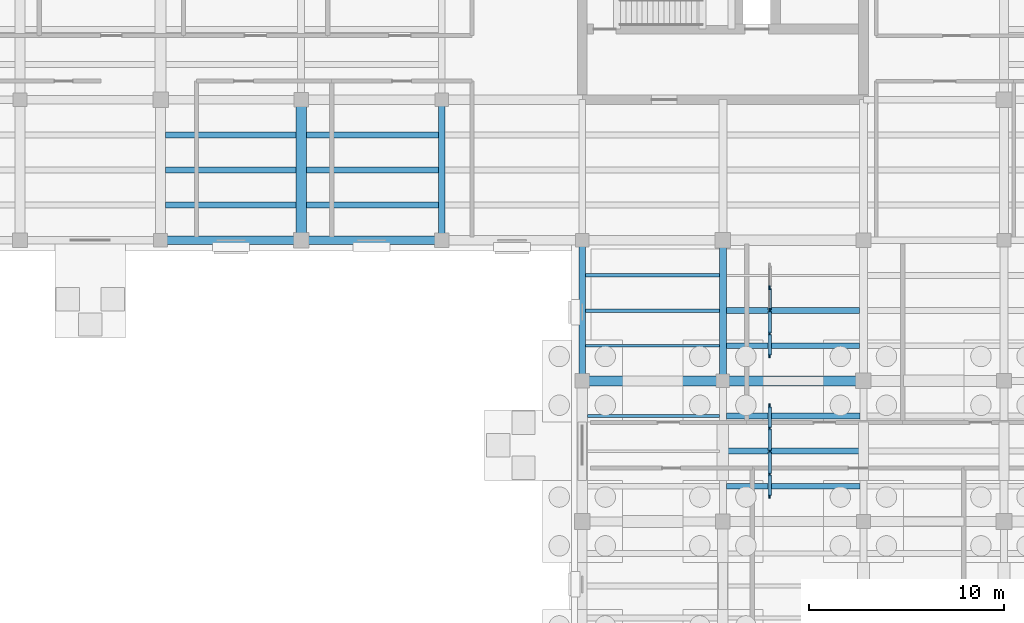
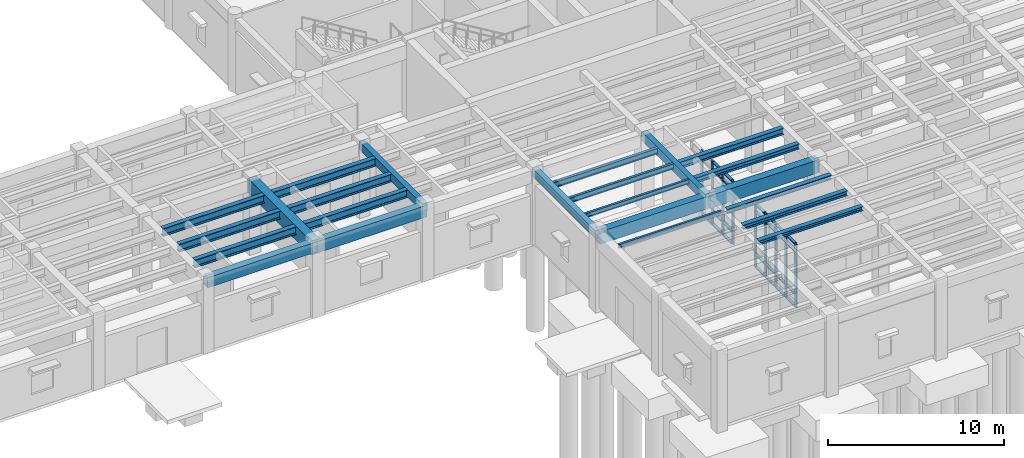
# One storey, part 14 of 100: 34 members, 23 beams, 2 elements without a shape of their own.
"""IFC4 building model written with IfcOpenShell, lengths in metres."""

from ifc_helpers import new_model, si_unit, direction, frame, origin, origin_2d, place, context, subcontext, project, spatial, rectangle, i_section, extrude, material, material_profile, profile_set, type_object, element, aggregate, save


model = new_model("IFC4")

# Units and contexts
model_context = context("Model", 3, precision=1e-05, world=origin(), true_north=direction((0.0, 1.0)))
body_context = subcontext(model_context, "Body", "Model", "MODEL_VIEW")
ifc_project = project(units=[si_unit("LENGTHUNIT", "METRE"), si_unit("AREAUNIT", "SQUARE_METRE"), si_unit("VOLUMEUNIT", "CUBIC_METRE"), si_unit("PLANEANGLEUNIT", "RADIAN"), si_unit("MASSUNIT", "GRAM", prefix="KILO")], contexts=[model_context])

# Site, building, storey
site_placement = place(None, origin())
site = spatial("IfcSite", under=ifc_project, at=site_placement, CompositionType="ELEMENT")
building_placement = place(site_placement, origin())
building = spatial("IfcBuilding", under=site, at=building_placement, Name="Mithqara Police Headquarters", CompositionType="ELEMENT")
storey_placement = place(building_placement, origin())
storey = spatial("IfcBuildingStorey", under=building, at=storey_placement, Name="L00", CompositionType="ELEMENT", Elevation=0.0)

# Beams
ifc_material_1 = material(Name="Steel S355JR", Category="steel")
ifc_material_profile_1 = material_profile(ifc_material_1, i_section(OverallWidth=0.300048828125, OverallDepth=0.300048828125, WebThickness=0.010986328125, FlangeThickness=0.01904296875, FilletRadius=0.027099609375, at=origin_2d()), Name="HEB 300")
ifc_profile_set_1 = profile_set([ifc_material_profile_1], Name="Steel S355JR")
beam_type_1 = type_object("IfcBeamType", Name="BEAM HEB300", PredefinedType="BEAM", material=ifc_profile_set_1)
beam_1_placement = place(storey_placement, frame((87.175048828125, 12.0, 4.969970703125), z_axis=(1.0, 0.0, 0.0), x_axis=(0.0, 1.0, 0.0)))
element("IfcBeam", 1, at=beam_1_placement, inside=storey, type_object=beam_type_1, Name="L00 Composite Steel Joist 13-14/B.3", PredefinedType="BEAM", context=body_context, shape_type="SweptSolid", body=[
    extrude(i_section(OverallWidth=0.300048828125, OverallDepth=0.300048828125, WebThickness=0.010986328125, FlangeThickness=0.01904296875, FilletRadius=0.027099609375, at=origin_2d()), origin(), (0.0, 0.0, 1.0), 6.849853515625),
])
ifc_material_profile_2 = material_profile(ifc_material_1, i_section(OverallWidth=0.300048828125, OverallDepth=0.360107421875, WebThickness=0.012451171875, FlangeThickness=0.0224609375, FilletRadius=0.027099609375, at=origin_2d()), Name="HEB 360")
ifc_profile_set_2 = profile_set([ifc_material_profile_2], Name="Steel S355JR")
beam_type_2 = type_object("IfcBeamType", Name="BEAM HEB360", PredefinedType="BEAM", material=ifc_profile_set_2)
beam_2_placement = place(storey_placement, frame((87.175048828125, 15.60009765625, 4.93994140625), z_axis=(1.0, 0.0, 0.0), x_axis=(0.0, 1.0, 0.0)))
element("IfcBeam", 2, at=beam_2_placement, inside=storey, type_object=beam_type_2, Name="L00 Composite Steel Joist 13-14/C.1", PredefinedType="BEAM", context=body_context, shape_type="SweptSolid", body=[
    extrude(i_section(OverallWidth=0.300048828125, OverallDepth=0.360107421875, WebThickness=0.012451171875, FlangeThickness=0.0224609375, FilletRadius=0.027099609375, at=origin_2d()), origin(), (0.0, 0.0, 1.0), 6.824951171875),
])
ifc_material_profile_3 = material_profile(ifc_material_1, i_section(OverallWidth=0.300048828125, OverallDepth=0.449951171875, WebThickness=0.013916015625, FlangeThickness=0.02587890625, FilletRadius=0.027099609375, at=origin_2d()), Name="HEB 450")
ifc_profile_set_3 = profile_set([ifc_material_profile_3], Name="Steel S355JR")
beam_type_3 = type_object("IfcBeamType", Name="BEAM HEB450", PredefinedType="BEAM", material=ifc_profile_set_3)
beam_3_placement = place(storey_placement, frame((87.175048828125, 17.39990234375, 4.89501953125), z_axis=(1.0, 0.0, 0.0), x_axis=(0.0, 1.0, 0.0)))
element("IfcBeam", 3, at=beam_3_placement, inside=storey, type_object=beam_type_3, Name="L00 Composite Steel Joist 13-14/C.2", PredefinedType="BEAM", context=body_context, shape_type="SweptSolid", body=[
    extrude(i_section(OverallWidth=0.300048828125, OverallDepth=0.449951171875, WebThickness=0.013916015625, FlangeThickness=0.02587890625, FilletRadius=0.027099609375, at=origin_2d()), origin(), (0.0, 0.0, 1.0), 6.824951171875),
])
ifc_material_profile_4 = material_profile(ifc_material_1, i_section(OverallWidth=0.300048828125, OverallDepth=0.550048828125, WebThickness=0.014892578125, FlangeThickness=0.029052734375, FilletRadius=0.027099609375, at=origin_2d()), Name="HEB 550")
ifc_profile_set_4 = profile_set([ifc_material_profile_4], Name="Steel S355JR")
beam_type_4 = type_object("IfcBeamType", Name="BEAM HEB550", PredefinedType="BEAM", material=ifc_profile_set_4)
for number, where, z_axis, x_axis, name in (
    (4, (58.449951171875, 22.800048828125, 4.844970703125), (1.0, 0.0, 0.0), (0.0, 1.0, 0.0), "L00 Composite Steel Joist 9-10/D.1"),
    (5, (58.449951171875, 24.60009765625, 4.844970703125), (1.0, 0.0, 0.0), (0.0, 1.0, 0.0), "L00 Composite Steel Joist 9-10/D.2"),
    (6, (58.449951171875, 26.39990234375, 4.844970703125), (1.0, 0.0, 0.0), (0.0, 1.0, 0.0), "L00 Composite Steel Joist 9-10/D.3"),
):
    element("IfcBeam", number, at=place(storey_placement, frame(where, z_axis=z_axis, x_axis=x_axis)), inside=storey, type_object=beam_type_4, Name=name, PredefinedType="BEAM", context=body_context, shape_type="SweptSolid", body=[
        extrude(i_section(OverallWidth=0.300048828125, OverallDepth=0.550048828125, WebThickness=0.014892578125, FlangeThickness=0.029052734375, FilletRadius=0.027099609375, at=origin_2d()), origin(), (0.0, 0.0, 1.0), 6.675048828125),
    ])
for number, where, z_axis, x_axis, name in (
    (7, (65.675048828125, 22.800048828125, 4.844970703125), (1.0, 0.0, 0.0), (0.0, 1.0, 0.0), "L00 Composite Steel Joist 10-11/D.1"),
    (8, (65.675048828125, 24.60009765625, 4.844970703125), (1.0, 0.0, 0.0), (0.0, 1.0, 0.0), "L00 Composite Steel Joist 10-11/D.2"),
    (9, (65.675048828125, 26.39990234375, 4.844970703125), (1.0, 0.0, 0.0), (0.0, 1.0, 0.0), "L00 Composite Steel Joist 10-11/D.3"),
):
    element("IfcBeam", number, at=place(storey_placement, frame(where, z_axis=z_axis, x_axis=x_axis)), inside=storey, type_object=beam_type_4, Name=name, PredefinedType="BEAM", context=body_context, shape_type="SweptSolid", body=[
        extrude(i_section(OverallWidth=0.300048828125, OverallDepth=0.550048828125, WebThickness=0.014892578125, FlangeThickness=0.029052734375, FilletRadius=0.027099609375, at=origin_2d()), origin(), (0.0, 0.0, 1.0), 6.75),
    ])
ifc_material_2 = material(Name="Concrete C40/50", Category="concrete")
ifc_material_profile_5 = material_profile(ifc_material_2, rectangle(XDim=0.35009765625, YDim=0.550048828125, at=origin_2d()), Name="RC 350x550")
ifc_profile_set_5 = profile_set([ifc_material_profile_5], Name="Concrete C40/50")
beam_type_5 = type_object("IfcBeamType", Name="BEAM RC350X550", PredefinedType="BEAM", material=ifc_profile_set_5)
for number, where, z_axis, x_axis, name in (
    (10, (72.60009765625, 21.0, 4.844970703125), (0.0, 1.0, 0.0), (-1.0, 0.0, 0.0), "L00 Girder 11/D-E"),
    (11, (79.800048828125, 13.800048828125, 4.844970703125), (0.0, 1.0, 0.0), (-1.0, 0.0, 0.0), "L00 Girder 12/C-D"),
):
    element("IfcBeam", number, at=place(storey_placement, frame(where, z_axis=z_axis, x_axis=x_axis)), inside=storey, type_object=beam_type_5, Name=name, PredefinedType="BEAM", context=body_context, shape_type="SweptSolid", body=[
        extrude(rectangle(XDim=0.35009765625, YDim=0.550048828125, at=origin_2d()), origin(), (0.0, 0.0, 1.0), 7.199951171875),
    ])
ifc_material_profile_6 = material_profile(ifc_material_2, rectangle(XDim=0.35009765625, YDim=0.60009765625, at=origin_2d()), Name="RC 350x600")
ifc_profile_set_6 = profile_set([ifc_material_profile_6], Name="Concrete C40/50")
beam_type_6 = type_object("IfcBeamType", Name="BEAM RC350X600", PredefinedType="BEAM", material=ifc_profile_set_6)
beam_4_placement = place(storey_placement, frame((87.0, 13.800048828125, 4.820068359375), z_axis=(0.0, 1.0, 0.0), x_axis=(-1.0, 0.0, 0.0)))
element("IfcBeam", 12, at=beam_4_placement, inside=storey, type_object=beam_type_6, Name="L00 Girder 13/C-D", PredefinedType="BEAM", context=body_context, shape_type="SweptSolid", body=[
    extrude(rectangle(XDim=0.35009765625, YDim=0.60009765625, at=origin_2d()), origin(), (0.0, 0.0, 1.0), 7.199951171875),
])
ifc_material_profile_7 = material_profile(ifc_material_2, rectangle(XDim=0.449951171875, YDim=0.699951171875, at=origin_2d()), Name="RC 450x700")
ifc_profile_set_7 = profile_set([ifc_material_profile_7], Name="Concrete C40/50")
beam_type_7 = type_object("IfcBeamType", Name="BEAM RC450X700", PredefinedType="BEAM", material=ifc_profile_set_7)
beam_5_placement = place(storey_placement, frame((58.199951171875, 21.0, 4.77001953125), z_axis=(1.0, 0.0, 0.0), x_axis=(0.0, 1.0, 0.0)))
element("IfcBeam", 13, at=beam_5_placement, inside=storey, type_object=beam_type_7, Name="L00 Girder 9-10/D", PredefinedType="BEAM", context=body_context, shape_type="SweptSolid", body=[
    extrude(rectangle(XDim=0.449951171875, YDim=0.699951171875, at=origin_2d()), origin(), (0.0, 0.0, 1.0), 7.199951171875),
])
ifc_material_profile_8 = material_profile(ifc_material_2, rectangle(XDim=0.449951171875, YDim=0.800048828125, at=origin_2d()), Name="RC 450x800")
ifc_profile_set_8 = profile_set([ifc_material_profile_8], Name="Concrete C40/50")
beam_type_8 = type_object("IfcBeamType", Name="BEAM RC450X800", PredefinedType="BEAM", material=ifc_profile_set_8)
beam_6_placement = place(storey_placement, frame((65.39990234375, 21.0, 4.719970703125), z_axis=(1.0, 0.0, 0.0), x_axis=(0.0, 1.0, 0.0)))
element("IfcBeam", 14, at=beam_6_placement, inside=storey, type_object=beam_type_8, Name="L00 Girder 10-11/D", PredefinedType="BEAM", context=body_context, shape_type="SweptSolid", body=[
    extrude(rectangle(XDim=0.449951171875, YDim=0.800048828125, at=origin_2d()), origin(), (0.0, 0.0, 1.0), 7.2001953125),
])
ifc_material_profile_9 = material_profile(ifc_material_2, rectangle(XDim=0.5, YDim=0.85009765625, at=origin_2d()), Name="RC 500x850")
ifc_profile_set_9 = profile_set([ifc_material_profile_9], Name="Concrete C40/50")
beam_type_9 = type_object("IfcBeamType", Name="BEAM RC500X850", PredefinedType="BEAM", material=ifc_profile_set_9)
beam_7_placement = place(storey_placement, frame((79.800048828125, 13.800048828125, 4.695068359375), z_axis=(1.0, 0.0, 0.0), x_axis=(0.0, 1.0, 0.0)))
element("IfcBeam", 15, at=beam_7_placement, inside=storey, type_object=beam_type_9, Name="L00 Girder 12-13/C", PredefinedType="BEAM", context=body_context, shape_type="SweptSolid", body=[
    extrude(rectangle(XDim=0.5, YDim=0.85009765625, at=origin_2d()), origin(), (0.0, 0.0, 1.0), 7.199951171875),
])
ifc_material_3 = material(Name="Concrete C50/60", Category="concrete")
ifc_material_profile_10 = material_profile(ifc_material_3, rectangle(XDim=0.5, YDim=0.89990234375, at=origin_2d()), Name="RC 500x900")
ifc_profile_set_10 = profile_set([ifc_material_profile_10], Name="Concrete C50/60")
beam_type_10 = type_object("IfcBeamType", Name="BEAM RC500X900", PredefinedType="BEAM", material=ifc_profile_set_10)
beam_8_placement = place(storey_placement, frame((87.0, 13.800048828125, 4.669921875), z_axis=(1.0, 0.0, 0.0), x_axis=(0.0, 1.0, 0.0)))
element("IfcBeam", 16, at=beam_8_placement, inside=storey, type_object=beam_type_10, Name="L00 Girder 13-14/C", PredefinedType="BEAM", context=body_context, shape_type="SweptSolid", body=[
    extrude(rectangle(XDim=0.5, YDim=0.89990234375, at=origin_2d()), origin(), (0.0, 0.0, 1.0), 7.199951171875),
])
ifc_material_profile_11 = material_profile(ifc_material_3, rectangle(XDim=0.550048828125, YDim=1.0, at=origin_2d()), Name="RC 550x1000")
ifc_profile_set_11 = profile_set([ifc_material_profile_11], Name="Concrete C50/60")
beam_type_11 = type_object("IfcBeamType", Name="BEAM RC550X1000", PredefinedType="BEAM", material=ifc_profile_set_11)
beam_9_placement = place(storey_placement, frame((65.39990234375, 21.0, 4.6201171875), z_axis=(0.0, 1.0, 0.0), x_axis=(-1.0, 0.0, 0.0)))
element("IfcBeam", 17, at=beam_9_placement, inside=storey, type_object=beam_type_11, Name="L00 Girder 10/D-E", PredefinedType="BEAM", context=body_context, shape_type="SweptSolid", body=[
    extrude(rectangle(XDim=0.550048828125, YDim=1.0, at=origin_2d()), origin(), (0.0, 0.0, 1.0), 7.199951171875),
])

# Curtain wall, members
ifc_material_4 = material(Name="Bronze anodised aluminium 6063-T6", Category="aluminium")
curtain_wall_type = type_object("IfcCurtainWallType", Name="CURTAIN WALL 4700X4400", PredefinedType="USERDEFINED", material=ifc_material_4)
curtain_wall_1_placement = place(storey_placement, origin())
curtain_wall_1 = element("IfcCurtainWall", 18, at=curtain_wall_1_placement, inside=storey, type_object=curtain_wall_type, Name="L00 Unitised Glazing CW-14 (CW-INT-L00-X12-Y01-0)", ObjectType="UNITISED GLAZING", PredefinedType="USERDEFINED")
ifc_material_profile_12 = material_profile(ifc_material_4, rectangle(XDim=0.074951171875, YDim=0.219970703125, at=origin_2d()), Name="CWM 75x220")
ifc_profile_set_12 = profile_set([ifc_material_profile_12], Name="Bronze anodised aluminium 6063-T6")
member_type_1 = type_object("IfcMemberType", Name="CWMULLION 75X220", PredefinedType="MULLION", material=ifc_profile_set_12)
member_1_placement = place(storey_placement, frame((89.39990234375, 7.887451171875, 0.0), z_axis=(0.0, 0.0, 1.0), x_axis=(-1.0, 0.0, 0.0)))
member_1 = element("IfcMember", 19, at=member_1_placement, type_object=member_type_1, Name="CW-14 mullion 1", PredefinedType="MULLION", context=body_context, shape_type="SweptSolid", body=[
    extrude(rectangle(XDim=0.074951171875, YDim=0.219970703125, at=origin_2d()), origin(), (0.0, 0.0, 1.0), 4.39990234375),
])
member_2_placement = place(storey_placement, frame((89.39990234375, 9.02490234375, 0.0), z_axis=(0.0, 0.0, 1.0), x_axis=(-1.0, 0.0, 0.0)))
member_2 = element("IfcMember", 20, at=member_2_placement, type_object=member_type_1, Name="CW-14 mullion 2", PredefinedType="MULLION", context=body_context, shape_type="SweptSolid", body=[
    extrude(rectangle(XDim=0.074951171875, YDim=0.219970703125, at=origin_2d()), origin(), (0.0, 0.0, 1.0), 4.39990234375),
])
member_3_placement = place(storey_placement, frame((89.39990234375, 10.199951171875, 0.0), z_axis=(0.0, 0.0, 1.0), x_axis=(-1.0, 0.0, 0.0)))
member_3 = element("IfcMember", 21, at=member_3_placement, type_object=member_type_1, Name="CW-14 mullion 3", PredefinedType="MULLION", context=body_context, shape_type="SweptSolid", body=[
    extrude(rectangle(XDim=0.074951171875, YDim=0.219970703125, at=origin_2d()), origin(), (0.0, 0.0, 1.0), 4.39990234375),
])
member_4_placement = place(storey_placement, frame((89.39990234375, 11.375, 0.0), z_axis=(0.0, 0.0, 1.0), x_axis=(-1.0, 0.0, 0.0)))
member_4 = element("IfcMember", 22, at=member_4_placement, type_object=member_type_1, Name="CW-14 mullion 4", PredefinedType="MULLION", context=body_context, shape_type="SweptSolid", body=[
    extrude(rectangle(XDim=0.074951171875, YDim=0.219970703125, at=origin_2d()), origin(), (0.0, 0.0, 1.0), 4.39990234375),
])
member_5_placement = place(storey_placement, frame((89.39990234375, 12.512451171875, 0.0), z_axis=(0.0, 0.0, 1.0), x_axis=(-1.0, 0.0, 0.0)))
member_5 = element("IfcMember", 23, at=member_5_placement, type_object=member_type_1, Name="CW-14 mullion 5", PredefinedType="MULLION", context=body_context, shape_type="SweptSolid", body=[
    extrude(rectangle(XDim=0.074951171875, YDim=0.219970703125, at=origin_2d()), origin(), (0.0, 0.0, 1.0), 4.39990234375),
])

curtain_wall_2_placement = place(storey_placement, origin())
curtain_wall_2 = element("IfcCurtainWall", 24, at=curtain_wall_2_placement, inside=storey, type_object=curtain_wall_type, Name="L00 Unitised Glazing CW-14 (CW-INT-L00-X12-Y02-0)", ObjectType="UNITISED GLAZING", PredefinedType="USERDEFINED")
member_6_placement = place(storey_placement, frame((89.39990234375, 15.08740234375, 0.0), z_axis=(0.0, 0.0, 1.0), x_axis=(-1.0, 0.0, 0.0)))
member_6 = element("IfcMember", 25, at=member_6_placement, type_object=member_type_1, Name="CW-14 mullion 1", PredefinedType="MULLION", context=body_context, shape_type="SweptSolid", body=[
    extrude(rectangle(XDim=0.074951171875, YDim=0.219970703125, at=origin_2d()), origin(), (0.0, 0.0, 1.0), 4.39990234375),
])
member_7_placement = place(storey_placement, frame((89.39990234375, 16.22509765625, 0.0), z_axis=(0.0, 0.0, 1.0), x_axis=(-1.0, 0.0, 0.0)))
member_7 = element("IfcMember", 26, at=member_7_placement, type_object=member_type_1, Name="CW-14 mullion 2", PredefinedType="MULLION", context=body_context, shape_type="SweptSolid", body=[
    extrude(rectangle(XDim=0.074951171875, YDim=0.219970703125, at=origin_2d()), origin(), (0.0, 0.0, 1.0), 4.39990234375),
])
member_8_placement = place(storey_placement, frame((89.39990234375, 17.39990234375, 0.0), z_axis=(0.0, 0.0, 1.0), x_axis=(-1.0, 0.0, 0.0)))
member_8 = element("IfcMember", 27, at=member_8_placement, type_object=member_type_1, Name="CW-14 mullion 3", PredefinedType="MULLION", context=body_context, shape_type="SweptSolid", body=[
    extrude(rectangle(XDim=0.074951171875, YDim=0.219970703125, at=origin_2d()), origin(), (0.0, 0.0, 1.0), 4.39990234375),
])
member_9_placement = place(storey_placement, frame((89.39990234375, 18.574951171875, 0.0), z_axis=(0.0, 0.0, 1.0), x_axis=(-1.0, 0.0, 0.0)))
member_9 = element("IfcMember", 28, at=member_9_placement, type_object=member_type_1, Name="CW-14 mullion 4", PredefinedType="MULLION", context=body_context, shape_type="SweptSolid", body=[
    extrude(rectangle(XDim=0.074951171875, YDim=0.219970703125, at=origin_2d()), origin(), (0.0, 0.0, 1.0), 4.39990234375),
])

# Member
ifc_material_profile_13 = material_profile(ifc_material_4, rectangle(XDim=0.179931640625, YDim=0.074951171875, at=origin_2d()), Name="CWT 180x75")
ifc_profile_set_13 = profile_set([ifc_material_profile_13], Name="Bronze anodised aluminium 6063-T6")
member_type_2 = type_object("IfcMemberType", Name="CWTRANSOM 180X75", PredefinedType="USERDEFINED", material=ifc_profile_set_13)
member_10_placement = place(storey_placement, frame((89.39990234375, 7.925048828125, 0.03759765625), z_axis=(0.0, 1.0, 0.0), x_axis=(-1.0, 0.0, 0.0)))
member_10 = element("IfcMember", 29, at=member_10_placement, type_object=member_type_2, Name="CW-14 transom 1.1", ObjectType="TRANSOM", PredefinedType="USERDEFINED", context=body_context, shape_type="SweptSolid", body=[
    extrude(rectangle(XDim=0.179931640625, YDim=0.074951171875, at=origin_2d()), origin(), (0.0, 0.0, 1.0), 1.0625),
])

member_11_placement = place(storey_placement, frame((89.39990234375, 7.925048828125, 0.89990234375), z_axis=(0.0, 1.0, 0.0), x_axis=(-1.0, 0.0, 0.0)))
member_11 = element("IfcMember", 30, at=member_11_placement, type_object=member_type_2, Name="CW-14 transom 1.2", ObjectType="TRANSOM", PredefinedType="USERDEFINED", context=body_context, shape_type="SweptSolid", body=[
    extrude(rectangle(XDim=0.179931640625, YDim=0.074951171875, at=origin_2d()), origin(), (0.0, 0.0, 1.0), 1.0625),
])

member_12_placement = place(storey_placement, frame((89.39990234375, 7.925048828125, 3.85009765625), z_axis=(0.0, 1.0, 0.0), x_axis=(-1.0, 0.0, 0.0)))
member_12 = element("IfcMember", 31, at=member_12_placement, type_object=member_type_2, Name="CW-14 transom 1.3", ObjectType="TRANSOM", PredefinedType="USERDEFINED", context=body_context, shape_type="SweptSolid", body=[
    extrude(rectangle(XDim=0.179931640625, YDim=0.074951171875, at=origin_2d()), origin(), (0.0, 0.0, 1.0), 1.0625),
])

member_13_placement = place(storey_placement, frame((89.39990234375, 7.925048828125, 4.362548828125), z_axis=(0.0, 1.0, 0.0), x_axis=(-1.0, 0.0, 0.0)))
member_13 = element("IfcMember", 32, at=member_13_placement, type_object=member_type_2, Name="CW-14 transom 1.4", ObjectType="TRANSOM", PredefinedType="USERDEFINED", context=body_context, shape_type="SweptSolid", body=[
    extrude(rectangle(XDim=0.179931640625, YDim=0.074951171875, at=origin_2d()), origin(), (0.0, 0.0, 1.0), 1.0625),
])

member_14_placement = place(storey_placement, frame((89.39990234375, 9.0625, 0.03759765625), z_axis=(0.0, 1.0, 0.0), x_axis=(-1.0, 0.0, 0.0)))
member_14 = element("IfcMember", 33, at=member_14_placement, type_object=member_type_2, Name="CW-14 transom 2.1", ObjectType="TRANSOM", PredefinedType="USERDEFINED", context=body_context, shape_type="SweptSolid", body=[
    extrude(rectangle(XDim=0.179931640625, YDim=0.074951171875, at=origin_2d()), origin(), (0.0, 0.0, 1.0), 1.10009765625),
])

member_15_placement = place(storey_placement, frame((89.39990234375, 9.0625, 0.89990234375), z_axis=(0.0, 1.0, 0.0), x_axis=(-1.0, 0.0, 0.0)))
member_15 = element("IfcMember", 34, at=member_15_placement, type_object=member_type_2, Name="CW-14 transom 2.2", ObjectType="TRANSOM", PredefinedType="USERDEFINED", context=body_context, shape_type="SweptSolid", body=[
    extrude(rectangle(XDim=0.179931640625, YDim=0.074951171875, at=origin_2d()), origin(), (0.0, 0.0, 1.0), 1.10009765625),
])

member_16_placement = place(storey_placement, frame((89.39990234375, 9.0625, 3.85009765625), z_axis=(0.0, 1.0, 0.0), x_axis=(-1.0, 0.0, 0.0)))
member_16 = element("IfcMember", 35, at=member_16_placement, type_object=member_type_2, Name="CW-14 transom 2.3", ObjectType="TRANSOM", PredefinedType="USERDEFINED", context=body_context, shape_type="SweptSolid", body=[
    extrude(rectangle(XDim=0.179931640625, YDim=0.074951171875, at=origin_2d()), origin(), (0.0, 0.0, 1.0), 1.10009765625),
])

member_17_placement = place(storey_placement, frame((89.39990234375, 9.0625, 4.362548828125), z_axis=(0.0, 1.0, 0.0), x_axis=(-1.0, 0.0, 0.0)))
member_17 = element("IfcMember", 36, at=member_17_placement, type_object=member_type_2, Name="CW-14 transom 2.4", ObjectType="TRANSOM", PredefinedType="USERDEFINED", context=body_context, shape_type="SweptSolid", body=[
    extrude(rectangle(XDim=0.179931640625, YDim=0.074951171875, at=origin_2d()), origin(), (0.0, 0.0, 1.0), 1.10009765625),
])

member_18_placement = place(storey_placement, frame((89.39990234375, 10.237548828125, 0.03759765625), z_axis=(0.0, 1.0, 0.0), x_axis=(-1.0, 0.0, 0.0)))
member_18 = element("IfcMember", 37, at=member_18_placement, type_object=member_type_2, Name="CW-14 transom 3.1", ObjectType="TRANSOM", PredefinedType="USERDEFINED", context=body_context, shape_type="SweptSolid", body=[
    extrude(rectangle(XDim=0.179931640625, YDim=0.074951171875, at=origin_2d()), origin(), (0.0, 0.0, 1.0), 1.099853515625),
])

member_19_placement = place(storey_placement, frame((89.39990234375, 10.237548828125, 0.89990234375), z_axis=(0.0, 1.0, 0.0), x_axis=(-1.0, 0.0, 0.0)))
member_19 = element("IfcMember", 38, at=member_19_placement, type_object=member_type_2, Name="CW-14 transom 3.2", ObjectType="TRANSOM", PredefinedType="USERDEFINED", context=body_context, shape_type="SweptSolid", body=[
    extrude(rectangle(XDim=0.179931640625, YDim=0.074951171875, at=origin_2d()), origin(), (0.0, 0.0, 1.0), 1.099853515625),
])

member_20_placement = place(storey_placement, frame((89.39990234375, 10.237548828125, 3.85009765625), z_axis=(0.0, 1.0, 0.0), x_axis=(-1.0, 0.0, 0.0)))
member_20 = element("IfcMember", 39, at=member_20_placement, type_object=member_type_2, Name="CW-14 transom 3.3", ObjectType="TRANSOM", PredefinedType="USERDEFINED", context=body_context, shape_type="SweptSolid", body=[
    extrude(rectangle(XDim=0.179931640625, YDim=0.074951171875, at=origin_2d()), origin(), (0.0, 0.0, 1.0), 1.099853515625),
])

member_21_placement = place(storey_placement, frame((89.39990234375, 10.237548828125, 4.362548828125), z_axis=(0.0, 1.0, 0.0), x_axis=(-1.0, 0.0, 0.0)))
member_21 = element("IfcMember", 40, at=member_21_placement, type_object=member_type_2, Name="CW-14 transom 3.4", ObjectType="TRANSOM", PredefinedType="USERDEFINED", context=body_context, shape_type="SweptSolid", body=[
    extrude(rectangle(XDim=0.179931640625, YDim=0.074951171875, at=origin_2d()), origin(), (0.0, 0.0, 1.0), 1.099853515625),
])

member_22_placement = place(storey_placement, frame((89.39990234375, 11.41259765625, 0.03759765625), z_axis=(0.0, 1.0, 0.0), x_axis=(-1.0, 0.0, 0.0)))
member_22 = element("IfcMember", 41, at=member_22_placement, type_object=member_type_2, Name="CW-14 transom 4.1", ObjectType="TRANSOM", PredefinedType="USERDEFINED", context=body_context, shape_type="SweptSolid", body=[
    extrude(rectangle(XDim=0.179931640625, YDim=0.074951171875, at=origin_2d()), origin(), (0.0, 0.0, 1.0), 1.0625),
])

member_23_placement = place(storey_placement, frame((89.39990234375, 11.41259765625, 0.89990234375), z_axis=(0.0, 1.0, 0.0), x_axis=(-1.0, 0.0, 0.0)))
member_23 = element("IfcMember", 42, at=member_23_placement, type_object=member_type_2, Name="CW-14 transom 4.2", ObjectType="TRANSOM", PredefinedType="USERDEFINED", context=body_context, shape_type="SweptSolid", body=[
    extrude(rectangle(XDim=0.179931640625, YDim=0.074951171875, at=origin_2d()), origin(), (0.0, 0.0, 1.0), 1.0625),
])

member_24_placement = place(storey_placement, frame((89.39990234375, 11.41259765625, 3.85009765625), z_axis=(0.0, 1.0, 0.0), x_axis=(-1.0, 0.0, 0.0)))
member_24 = element("IfcMember", 43, at=member_24_placement, type_object=member_type_2, Name="CW-14 transom 4.3", ObjectType="TRANSOM", PredefinedType="USERDEFINED", context=body_context, shape_type="SweptSolid", body=[
    extrude(rectangle(XDim=0.179931640625, YDim=0.074951171875, at=origin_2d()), origin(), (0.0, 0.0, 1.0), 1.0625),
])

member_25_placement = place(storey_placement, frame((89.39990234375, 11.41259765625, 4.362548828125), z_axis=(0.0, 1.0, 0.0), x_axis=(-1.0, 0.0, 0.0)))
member_25 = element("IfcMember", 44, at=member_25_placement, type_object=member_type_2, Name="CW-14 transom 4.4", ObjectType="TRANSOM", PredefinedType="USERDEFINED", context=body_context, shape_type="SweptSolid", body=[
    extrude(rectangle(XDim=0.179931640625, YDim=0.074951171875, at=origin_2d()), origin(), (0.0, 0.0, 1.0), 1.0625),
])

aggregate(curtain_wall_1, [member_1, member_2, member_3, member_4, member_5, member_10, member_11, member_12, member_13, member_14, member_15, member_16, member_17, member_18, member_19, member_20, member_21, member_22, member_23, member_24, member_25])

member_26_placement = place(storey_placement, frame((89.39990234375, 15.125, 0.03759765625), z_axis=(0.0, 1.0, 0.0), x_axis=(-1.0, 0.0, 0.0)))
member_26 = element("IfcMember", 45, at=member_26_placement, type_object=member_type_2, Name="CW-14 transom 1.1", ObjectType="TRANSOM", PredefinedType="USERDEFINED", context=body_context, shape_type="SweptSolid", body=[
    extrude(rectangle(XDim=0.179931640625, YDim=0.074951171875, at=origin_2d()), origin(), (0.0, 0.0, 1.0), 1.0625),
])

member_27_placement = place(storey_placement, frame((89.39990234375, 15.125, 0.89990234375), z_axis=(0.0, 1.0, 0.0), x_axis=(-1.0, 0.0, 0.0)))
member_27 = element("IfcMember", 46, at=member_27_placement, type_object=member_type_2, Name="CW-14 transom 1.2", ObjectType="TRANSOM", PredefinedType="USERDEFINED", context=body_context, shape_type="SweptSolid", body=[
    extrude(rectangle(XDim=0.179931640625, YDim=0.074951171875, at=origin_2d()), origin(), (0.0, 0.0, 1.0), 1.0625),
])

member_28_placement = place(storey_placement, frame((89.39990234375, 15.125, 3.85009765625), z_axis=(0.0, 1.0, 0.0), x_axis=(-1.0, 0.0, 0.0)))
member_28 = element("IfcMember", 47, at=member_28_placement, type_object=member_type_2, Name="CW-14 transom 1.3", ObjectType="TRANSOM", PredefinedType="USERDEFINED", context=body_context, shape_type="SweptSolid", body=[
    extrude(rectangle(XDim=0.179931640625, YDim=0.074951171875, at=origin_2d()), origin(), (0.0, 0.0, 1.0), 1.0625),
])

member_29_placement = place(storey_placement, frame((89.39990234375, 15.125, 4.362548828125), z_axis=(0.0, 1.0, 0.0), x_axis=(-1.0, 0.0, 0.0)))
member_29 = element("IfcMember", 48, at=member_29_placement, type_object=member_type_2, Name="CW-14 transom 1.4", ObjectType="TRANSOM", PredefinedType="USERDEFINED", context=body_context, shape_type="SweptSolid", body=[
    extrude(rectangle(XDim=0.179931640625, YDim=0.074951171875, at=origin_2d()), origin(), (0.0, 0.0, 1.0), 1.0625),
])

member_30_placement = place(storey_placement, frame((89.39990234375, 16.262451171875, 0.03759765625), z_axis=(0.0, 1.0, 0.0), x_axis=(-1.0, 0.0, 0.0)))
member_30 = element("IfcMember", 49, at=member_30_placement, type_object=member_type_2, Name="CW-14 transom 2.1", ObjectType="TRANSOM", PredefinedType="USERDEFINED", context=body_context, shape_type="SweptSolid", body=[
    extrude(rectangle(XDim=0.179931640625, YDim=0.074951171875, at=origin_2d()), origin(), (0.0, 0.0, 1.0), 1.10009765625),
])

member_31_placement = place(storey_placement, frame((89.39990234375, 16.262451171875, 0.89990234375), z_axis=(0.0, 1.0, 0.0), x_axis=(-1.0, 0.0, 0.0)))
member_31 = element("IfcMember", 50, at=member_31_placement, type_object=member_type_2, Name="CW-14 transom 2.2", ObjectType="TRANSOM", PredefinedType="USERDEFINED", context=body_context, shape_type="SweptSolid", body=[
    extrude(rectangle(XDim=0.179931640625, YDim=0.074951171875, at=origin_2d()), origin(), (0.0, 0.0, 1.0), 1.10009765625),
])

member_32_placement = place(storey_placement, frame((89.39990234375, 16.262451171875, 3.85009765625), z_axis=(0.0, 1.0, 0.0), x_axis=(-1.0, 0.0, 0.0)))
member_32 = element("IfcMember", 51, at=member_32_placement, type_object=member_type_2, Name="CW-14 transom 2.3", ObjectType="TRANSOM", PredefinedType="USERDEFINED", context=body_context, shape_type="SweptSolid", body=[
    extrude(rectangle(XDim=0.179931640625, YDim=0.074951171875, at=origin_2d()), origin(), (0.0, 0.0, 1.0), 1.10009765625),
])

member_33_placement = place(storey_placement, frame((89.39990234375, 16.262451171875, 4.362548828125), z_axis=(0.0, 1.0, 0.0), x_axis=(-1.0, 0.0, 0.0)))
member_33 = element("IfcMember", 52, at=member_33_placement, type_object=member_type_2, Name="CW-14 transom 2.4", ObjectType="TRANSOM", PredefinedType="USERDEFINED", context=body_context, shape_type="SweptSolid", body=[
    extrude(rectangle(XDim=0.179931640625, YDim=0.074951171875, at=origin_2d()), origin(), (0.0, 0.0, 1.0), 1.10009765625),
])

member_34_placement = place(storey_placement, frame((89.39990234375, 17.4375, 0.03759765625), z_axis=(0.0, 1.0, 0.0), x_axis=(-1.0, 0.0, 0.0)))
member_34 = element("IfcMember", 53, at=member_34_placement, type_object=member_type_2, Name="CW-14 transom 3.1", ObjectType="TRANSOM", PredefinedType="USERDEFINED", context=body_context, shape_type="SweptSolid", body=[
    extrude(rectangle(XDim=0.179931640625, YDim=0.074951171875, at=origin_2d()), origin(), (0.0, 0.0, 1.0), 1.10009765625),
])

aggregate(curtain_wall_2, [member_6, member_7, member_8, member_9, member_26, member_27, member_28, member_29, member_30, member_31, member_32, member_33, member_34])

# Beams
ifc_material_profile_14 = material_profile(ifc_material_1, i_section(OverallWidth=0.300048828125, OverallDepth=0.2900390625, WebThickness=0.008544921875, FlangeThickness=0.013916015625, FilletRadius=0.027099609375, at=origin_2d()), Name="HEA 300")
ifc_profile_set_14 = profile_set([ifc_material_profile_14], Name="Steel S355JR")
beam_type_12 = type_object("IfcBeamType", Name="JOIST HEA300", PredefinedType="JOIST", material=ifc_profile_set_14)
beam_10_placement = place(storey_placement, frame((87.175048828125, 8.39990234375, 4.97509765625), z_axis=(1.0, 0.0, 0.0), x_axis=(0.0, 1.0, 0.0)))
element("IfcBeam", 54, at=beam_10_placement, inside=storey, type_object=beam_type_12, Name="L00 Composite Steel Joist 13-14/B.1", PredefinedType="JOIST", context=body_context, shape_type="SweptSolid", body=[
    extrude(i_section(OverallWidth=0.300048828125, OverallDepth=0.2900390625, WebThickness=0.008544921875, FlangeThickness=0.013916015625, FilletRadius=0.027099609375, at=origin_2d()), origin(), (0.0, 0.0, 1.0), 6.849853515625),
])
ifc_material_profile_15 = material_profile(ifc_material_1, i_section(OverallWidth=0.300048828125, OverallDepth=0.330078125, WebThickness=0.009521484375, FlangeThickness=0.0166015625, FilletRadius=0.027099609375, at=origin_2d()), Name="HEA 340")
ifc_profile_set_15 = profile_set([ifc_material_profile_15], Name="Steel S355JR")
beam_type_13 = type_object("IfcBeamType", Name="JOIST HEA340", PredefinedType="JOIST", material=ifc_profile_set_15)
beam_11_placement = place(storey_placement, frame((87.175048828125, 10.199951171875, 4.955078125), z_axis=(1.0, 0.0, 0.0), x_axis=(0.0, 1.0, 0.0)))
element("IfcBeam", 55, at=beam_11_placement, inside=storey, type_object=beam_type_13, Name="L00 Composite Steel Joist 13-14/B.2", PredefinedType="JOIST", context=body_context, shape_type="SweptSolid", body=[
    extrude(i_section(OverallWidth=0.300048828125, OverallDepth=0.330078125, WebThickness=0.009521484375, FlangeThickness=0.0166015625, FilletRadius=0.027099609375, at=origin_2d()), origin(), (0.0, 0.0, 1.0), 6.849853515625),
])
ifc_material_profile_16 = material_profile(ifc_material_1, i_section(OverallWidth=0.135009765625, OverallDepth=0.27001953125, WebThickness=0.006591796875, FlangeThickness=0.01025390625, FilletRadius=0.014892578125, at=origin_2d()), Name="IPE 270")
ifc_profile_set_16 = profile_set([ifc_material_profile_16], Name="Steel S355JR")
beam_type_14 = type_object("IfcBeamType", Name="JOIST IPE270", PredefinedType="JOIST", material=ifc_profile_set_16)
beam_12_placement = place(storey_placement, frame((80.074951171875, 12.0, 4.985107421875), z_axis=(1.0, 0.0, 0.0), x_axis=(0.0, 1.0, 0.0)))
element("IfcBeam", 56, at=beam_12_placement, inside=storey, type_object=beam_type_14, Name="L00 Composite Steel Joist 12-13/B.3", PredefinedType="JOIST", context=body_context, shape_type="SweptSolid", body=[
    extrude(i_section(OverallWidth=0.135009765625, OverallDepth=0.27001953125, WebThickness=0.006591796875, FlangeThickness=0.01025390625, FilletRadius=0.014892578125, at=origin_2d()), origin(), (0.0, 0.0, 1.0), 6.75),
])
ifc_material_profile_17 = material_profile(ifc_material_1, i_section(OverallWidth=0.14990234375, OverallDepth=0.300048828125, WebThickness=0.007080078125, FlangeThickness=0.0107421875, FilletRadius=0.014892578125, at=origin_2d()), Name="IPE 300")
ifc_profile_set_17 = profile_set([ifc_material_profile_17], Name="Steel S355JR")
beam_type_15 = type_object("IfcBeamType", Name="JOIST IPE300", PredefinedType="JOIST", material=ifc_profile_set_17)
beam_13_placement = place(storey_placement, frame((79.97509765625, 15.60009765625, 4.969970703125), z_axis=(1.0, 0.0, 0.0), x_axis=(0.0, 1.0, 0.0)))
element("IfcBeam", 57, at=beam_13_placement, inside=storey, type_object=beam_type_15, Name="L00 Composite Steel Joist 12-13/C.1", PredefinedType="JOIST", context=body_context, shape_type="SweptSolid", body=[
    extrude(i_section(OverallWidth=0.14990234375, OverallDepth=0.300048828125, WebThickness=0.007080078125, FlangeThickness=0.0107421875, FilletRadius=0.014892578125, at=origin_2d()), origin(), (0.0, 0.0, 1.0), 6.849853515625),
])
ifc_material_profile_18 = material_profile(ifc_material_1, i_section(OverallWidth=0.169921875, OverallDepth=0.360107421875, WebThickness=0.008056640625, FlangeThickness=0.0126953125, FilletRadius=0.01806640625, at=origin_2d()), Name="IPE 360")
ifc_profile_set_18 = profile_set([ifc_material_profile_18], Name="Steel S355JR")
beam_type_16 = type_object("IfcBeamType", Name="JOIST IPE360", PredefinedType="JOIST", material=ifc_profile_set_18)
beam_14_placement = place(storey_placement, frame((79.97509765625, 17.39990234375, 4.93994140625), z_axis=(1.0, 0.0, 0.0), x_axis=(0.0, 1.0, 0.0)))
element("IfcBeam", 58, at=beam_14_placement, inside=storey, type_object=beam_type_16, Name="L00 Composite Steel Joist 12-13/C.2", PredefinedType="JOIST", context=body_context, shape_type="SweptSolid", body=[
    extrude(i_section(OverallWidth=0.169921875, OverallDepth=0.360107421875, WebThickness=0.008056640625, FlangeThickness=0.0126953125, FilletRadius=0.01806640625, at=origin_2d()), origin(), (0.0, 0.0, 1.0), 6.849853515625),
])
ifc_material_profile_19 = material_profile(ifc_material_1, i_section(OverallWidth=0.179931640625, OverallDepth=0.39990234375, WebThickness=0.008544921875, FlangeThickness=0.013427734375, FilletRadius=0.02099609375, at=origin_2d()), Name="IPE 400")
ifc_profile_set_19 = profile_set([ifc_material_profile_19], Name="Steel S355JR")
beam_type_17 = type_object("IfcBeamType", Name="JOIST IPE400", PredefinedType="JOIST", material=ifc_profile_set_19)
beam_15_placement = place(storey_placement, frame((79.97509765625, 19.199951171875, 4.919921875), z_axis=(1.0, 0.0, 0.0), x_axis=(0.0, 1.0, 0.0)))
element("IfcBeam", 59, at=beam_15_placement, inside=storey, type_object=beam_type_17, Name="L00 Composite Steel Joist 12-13/C.3", PredefinedType="JOIST", context=body_context, shape_type="SweptSolid", body=[
    extrude(i_section(OverallWidth=0.179931640625, OverallDepth=0.39990234375, WebThickness=0.008544921875, FlangeThickness=0.013427734375, FilletRadius=0.02099609375, at=origin_2d()), origin(), (0.0, 0.0, 1.0), 6.849853515625),
])

save(model, "model.ifc")
